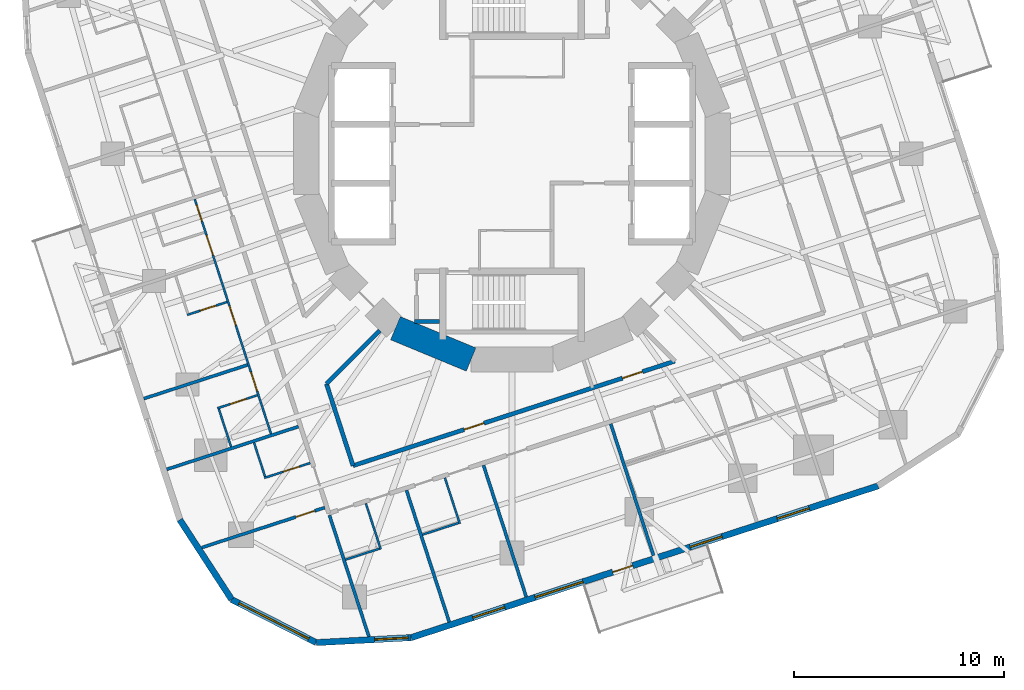
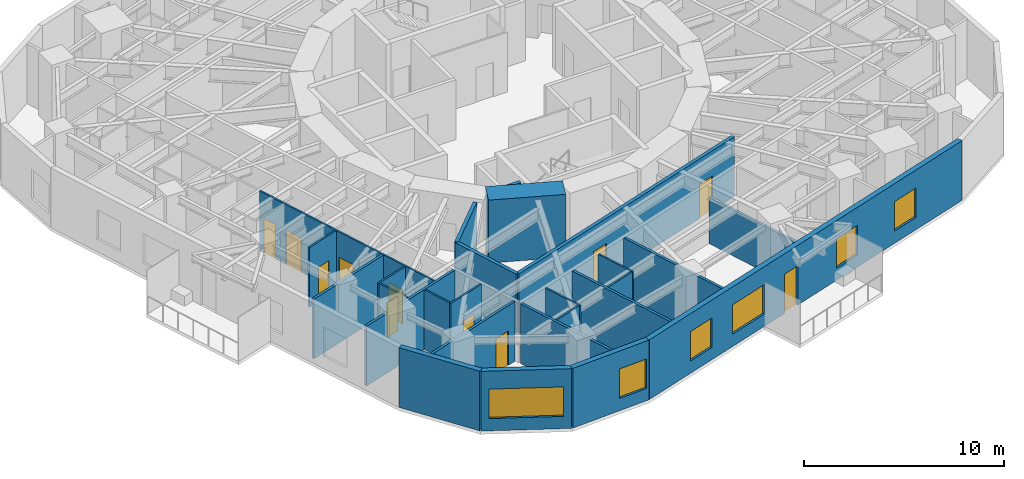
# One storey, part 4 of 13: 26 walls, 11 doors, 6 windows, 17 openings.
"""IFC4 building model written with IfcOpenShell, lengths in metres."""

import ifcopenshell
import ifcopenshell.guid

model = None  # the IFC model being written
_history = None  # IfcOwnerHistory: only IFC2X3 demands one
_inside = {}  # id of a spatial element -> (the spatial element, [elements in it])
_under = {}  # id of a project, library or spatial element -> (it, [spatial elements below it])
_declared = {}  # id of a project -> (the project, [libraries it declares])
_typed = {}  # id of a type object -> (the type object, [elements of that type])
_made_of = {}  # id of a material, layer set ... -> (it, [elements and type objects made of it])


def new_model(schema):
    """Start an empty IFC model of exactly this schema.

    Asked for "IFC4X3", IfcOpenShell would pick the latest addendum, in which some entities
    have other attributes; the version numbers below select the first issue.
    IFC2X3 requires an IfcOwnerHistory on every rooted entity: one is made here for all.
    """
    global model, _history
    if schema == "IFC4X3":
        model = ifcopenshell.file(schema_version=(4, 3, 0, 0))
    else:
        model = ifcopenshell.file(schema=schema)
    _inside.clear()
    _under.clear()
    _declared.clear()
    _typed.clear()
    _made_of.clear()
    _history = None
    if model.schema == "IFC2X3":
        org = make("IfcOrganization", Name="unknown")
        user = make(
            "IfcPersonAndOrganization",
            ThePerson=make("IfcPerson", FamilyName="unknown"),
            TheOrganization=org,
        )
        app = make(
            "IfcApplication",
            ApplicationDeveloper=org,
            Version="unknown",
            ApplicationFullName="unknown",
            ApplicationIdentifier="unknown",
        )
        _history = make(
            "IfcOwnerHistory",
            OwningUser=user,
            OwningApplication=app,
            ChangeAction="ADDED",
            CreationDate=0,
        )
    return model


def make(cls, **values):
    """One entity of the class cls with the attributes given. An attribute that is None is left unset."""
    return model.create_entity(
        cls, **{name: value for name, value in values.items() if value is not None}
    )


def rooted(cls, **values):
    """An entity with a GlobalId (a new one), such as an element, a storey or a relation."""
    return make(cls, GlobalId=ifcopenshell.guid.new(), OwnerHistory=_history, **values)


def si_unit(unit_type, name, prefix=None):
    """IfcSIUnit, for example si_unit("LENGTHUNIT", "METRE", prefix="MILLI")."""
    return make("IfcSIUnit", UnitType=unit_type, Prefix=prefix, Name=name)


def assignment(units):
    """IfcUnitAssignment: the units of a project."""
    return None if units is None else make("IfcUnitAssignment", Units=units)


def point(xyz):
    """IfcCartesianPoint."""
    return None if xyz is None else make("IfcCartesianPoint", Coordinates=xyz)


def direction(xyz):
    """IfcDirection."""
    return None if xyz is None else make("IfcDirection", DirectionRatios=xyz)


def frame(location, z_axis=None, x_axis=None):
    """IfcAxis2Placement3D, a coordinate frame: its origin and axes. An axis left out is left unset."""
    return make(
        "IfcAxis2Placement3D",
        Location=point(location),
        Axis=direction(z_axis),
        RefDirection=direction(x_axis),
    )


def frame_2d(location, x_axis=None):
    """IfcAxis2Placement2D, a coordinate frame in the plane: its origin and x axis."""
    return make(
        "IfcAxis2Placement2D", Location=point(location), RefDirection=direction(x_axis)
    )


def origin():
    """The frame at (0, 0, 0) with its axes left unset."""
    return frame((0.0, 0.0, 0.0))


def place(relative_to, where):
    """IfcLocalPlacement: puts the frame where relative to a parent placement (None: the world)."""
    return make(
        "IfcLocalPlacement", PlacementRelTo=relative_to, RelativePlacement=where
    )


def context(
    kind, dimensions, precision=None, world=None, true_north=None, identifier=None
):
    """IfcGeometricRepresentationContext, for example the 3D "Model" context."""
    return make(
        "IfcGeometricRepresentationContext",
        ContextIdentifier=identifier,
        ContextType=kind,
        CoordinateSpaceDimension=dimensions,
        Precision=precision,
        WorldCoordinateSystem=world,
        TrueNorth=true_north,
    )


def subcontext(parent, identifier, kind, view, scale=None):
    """IfcGeometricRepresentationSubContext, for example "Body" below "Model"."""
    return make(
        "IfcGeometricRepresentationSubContext",
        ContextIdentifier=identifier,
        ContextType=kind,
        ParentContext=parent,
        TargetScale=scale,
        TargetView=view,
    )


def project(units=None, contexts=None):
    """IfcProject with its units and contexts."""
    return rooted(
        "IfcProject",
        Name="project",
        RepresentationContexts=contexts,
        UnitsInContext=assignment(units),
    )


def spatial(cls, under=None, at=None, **own):
    """A site, building, storey or space (cls), placed at a placement, below another one or the project."""
    s = rooted(cls, ObjectPlacement=at, **own)
    if under is not None:
        _under.setdefault(under.id(), (under, []))[1].append(s)
    return s


def profile(cls, at=None, kind="AREA", **sizes):
    """A parametric profile (cls). Its sizes go by their IFC names, for example OverallWidth=200.0."""
    return make(cls, ProfileType=kind, Position=at, **sizes)


def rectangle(**sizes):
    """IfcRectangleProfileDef."""
    return profile("IfcRectangleProfileDef", **sizes)


def extrude(swept, where, along, depth):
    """IfcExtrudedAreaSolid: the profile swept, set in the frame where, extruded along a direction by depth."""
    return make(
        "IfcExtrudedAreaSolid",
        SweptArea=swept,
        Position=where,
        ExtrudedDirection=direction(along),
        Depth=depth,
    )


def shape(context_of_items, identifier, shape_type, items):
    """IfcShapeRepresentation: the items that make up one representation, for example the "Body"."""
    return make(
        "IfcShapeRepresentation",
        ContextOfItems=context_of_items,
        RepresentationIdentifier=identifier,
        RepresentationType=shape_type,
        Items=items,
    )


def material(Name=None, Category=None):
    """IfcMaterial."""
    return make("IfcMaterial", Name=Name, Category=Category)


def layer(
    of_material, thickness, ventilated=None, Name=None, Category=None, Priority=None
):
    """IfcMaterialLayer: one layer of a wall or slab, of a material (None: an air gap)."""
    return make(
        "IfcMaterialLayer",
        Material=of_material,
        LayerThickness=thickness,
        IsVentilated=ventilated,
        Name=Name,
        Category=Category,
        Priority=Priority,
    )


def layer_set(layers, Name=None):
    """IfcMaterialLayerSet."""
    return make("IfcMaterialLayerSet", MaterialLayers=layers, LayerSetName=Name)


def made_of(thing, what):
    """Note that an element or type object is made of a material, layer set ...; save() writes the relation."""
    if what is not None:
        _made_of.setdefault(what.id(), (what, []))[1].append(thing)
    return thing


def type_object(cls, material=None, **own):
    """A type object (cls), such as IfcWallType, which elements share."""
    return made_of(rooted(cls, **own), material)


def element(
    cls,
    number,
    at=None,
    inside=None,
    cuts=None,
    type_object=None,
    material=None,
    context=None,
    identifier="Body",
    shape_type=None,
    held_by="IfcProductDefinitionShape",
    body=None,
    shapes=None,
    **own,
):
    """One element of the class cls, such as IfcWall. Its Tag is "e" and its number.

    at: its placement. inside: the storey or other place that contains it. cuts: it is an
    opening in that element (IfcRelVoidsElement). A single representation is given by context,
    identifier, shape_type and body (its items); several are given by shapes. held_by: the class
    of the entity that holds the representations. save() writes the other relations.
    """
    e = rooted(cls, Tag="e%d" % number, ObjectPlacement=at, **own)
    if body is not None:
        shapes = [shape(context, identifier, shape_type, body)]
    if shapes is not None:
        e.Representation = make(held_by, Representations=shapes)
    if inside is not None:
        _inside.setdefault(inside.id(), (inside, []))[1].append(e)
    if cuts is not None:
        rooted(
            "IfcRelVoidsElement", RelatingBuildingElement=cuts, RelatedOpeningElement=e
        )
    if type_object is not None:
        _typed.setdefault(type_object.id(), (type_object, []))[1].append(e)
    return made_of(e, material)


def fill(opening, filler):
    """IfcRelFillsElement: the door or window that sits in an opening."""
    return rooted(
        "IfcRelFillsElement",
        RelatingOpeningElement=opening,
        RelatedBuildingElement=filler,
    )


def aggregate(whole, parts):
    """IfcRelAggregates: a whole, such as a stair, and the parts it consists of."""
    return rooted("IfcRelAggregates", RelatingObject=whole, RelatedObjects=parts)


def save(model, path):
    """Write the relations noted so far, then the file.

    IfcRelAggregates (storeys below a building ...), IfcRelContainedInSpatialStructure (elements
    in a storey), IfcRelDefinesByType, IfcRelAssociatesMaterial and IfcRelDeclares: one each for
    every whole, place, type object, material and project.
    """
    for whole, parts in _under.values():
        aggregate(whole, parts)
    for where, things in _inside.values():
        rooted(
            "IfcRelContainedInSpatialStructure",
            RelatedElements=things,
            RelatingStructure=where,
        )
    for kind, things in _typed.values():
        rooted("IfcRelDefinesByType", RelatedObjects=things, RelatingType=kind)
    for what, things in _made_of.values():
        rooted("IfcRelAssociatesMaterial", RelatedObjects=things, RelatingMaterial=what)
    for by, libraries in _declared.values():
        rooted("IfcRelDeclares", RelatingContext=by, RelatedDefinitions=libraries)
    model.write(path)


model = new_model("IFC4")

# Units and contexts
model_context = context("Model", 3, precision=1e-05, world=origin(), true_north=direction((0.0, 1.0)))
body_context = subcontext(model_context, "Body", "Model", "MODEL_VIEW")
ifc_project = project(units=[si_unit("LENGTHUNIT", "METRE"), si_unit("AREAUNIT", "SQUARE_METRE"), si_unit("VOLUMEUNIT", "CUBIC_METRE"), si_unit("PLANEANGLEUNIT", "RADIAN"), si_unit("MASSUNIT", "GRAM", prefix="KILO")], contexts=[model_context])

# Site, building, storey
site_placement = place(None, origin())
site = spatial("IfcSite", under=ifc_project, at=site_placement, CompositionType="ELEMENT")
building_placement = place(site_placement, origin())
building = spatial("IfcBuilding", under=site, at=building_placement, Name="Nakasero Lantern House", CompositionType="ELEMENT")
storey_placement = place(building_placement, frame((0.0, 0.0, 161.050048828125)))
storey = spatial("IfcBuildingStorey", under=building, at=storey_placement, Name="L39", CompositionType="ELEMENT", Elevation=161.050048828125)

# Wall, openings, doors
ifc_material_1 = material(Name="Blockwork", Category="masonry")
ifc_layer_1 = layer(ifc_material_1, 0.10009765625)
ifc_layer_set_1 = layer_set([ifc_layer_1], Name="Cluster hall wall 100")
wall_type_1 = type_object("IfcWallType", Name="Cluster hall wall 100", PredefinedType="PARTITIONING", material=ifc_layer_set_1)
wall_1_placement = place(storey_placement, frame((-15.1220703125, -2.161865234375, 0.0), z_axis=(0.0, 0.0, 1.0), x_axis=(0.309009113534, -0.9510590769, 0.0)))
wall_1 = element("IfcWall", 1, at=wall_1_placement, inside=storey, type_object=wall_type_1, Name="Cluster hall wall L39 HW2-1", PredefinedType="PARTITIONING", context=body_context, shape_type="SweptSolid", body=[
    extrude(rectangle(XDim=11.76416015625, YDim=0.10009765625, at=frame_2d((5.882080078125, 0.0))), origin(), (0.0, 0.0, 1.0), 3.64990234375),
])
opening_1_placement = place(wall_1_placement, frame((1.81396484375, 0.0, 0.0)))
opening_1 = element("IfcOpeningElement", 2, at=opening_1_placement, cuts=wall_1, Name="Opening D03", PredefinedType="OPENING", context=body_context, shape_type="SweptSolid", body=[
    extrude(rectangle(XDim=1.0, YDim=2.10009765625, at=frame_2d((0.5, 1.050048828125))), frame((0.0, 0.070068359375, 0.0), z_axis=(0.0, -1.0, 0.0), x_axis=(1.0, 0.0, 0.0)), (0.0, 0.0, 1.0), 0.14013671875),
])
opening_2_placement = place(wall_1_placement, frame((0.300048828125, 0.0, 0.0)))
opening_2 = element("IfcOpeningElement", 3, at=opening_2_placement, cuts=wall_1, Name="Opening D02", PredefinedType="OPENING", context=body_context, shape_type="SweptSolid", body=[
    extrude(rectangle(XDim=0.800048828125, YDim=2.10009765625, at=frame_2d((0.39990234375, 1.050048828125))), frame((0.0, 0.070068359375, 0.0), z_axis=(0.0, -1.0, 0.0), x_axis=(1.0, 0.0, 0.0)), (0.0, 0.0, 1.0), 0.14013671875),
])
opening_3_placement = place(wall_1_placement, frame((5.364013671875, 0.0, 0.0)))
opening_3 = element("IfcOpeningElement", 4, at=opening_3_placement, cuts=wall_1, Name="Opening D01", PredefinedType="OPENING", context=body_context, shape_type="SweptSolid", body=[
    extrude(rectangle(XDim=0.949951171875, YDim=2.10009765625, at=frame_2d((0.47509765625, 1.050048828125))), frame((0.0, 0.070068359375, 0.0), z_axis=(0.0, -1.0, 0.0), x_axis=(1.0, 0.0, 0.0)), (0.0, 0.0, 1.0), 0.14013671875),
])
opening_4_placement = place(wall_1_placement, frame((8.670166015625, 0.0, 0.0)))
opening_4 = element("IfcOpeningElement", 5, at=opening_4_placement, cuts=wall_1, Name="Opening D01", PredefinedType="OPENING", context=body_context, shape_type="SweptSolid", body=[
    extrude(rectangle(XDim=0.949951171875, YDim=2.10009765625, at=frame_2d((0.47509765625, 1.050048828125))), frame((0.0, 0.070068359375, 0.0), z_axis=(0.0, -1.0, 0.0), x_axis=(1.0, 0.0, 0.0)), (0.0, 0.0, 1.0), 0.14013671875),
])
ifc_material_2 = material(Name="Timber C24", Category="wood")
door_type_1 = type_object("IfcDoorType", Name="Bedroom door FD30S 950", OperationType="SINGLE_SWING_LEFT", PredefinedType="DOOR", material=ifc_material_2)
door_1_placement = place(opening_3_placement, origin())
door_1 = element("IfcDoor", 6, at=door_1_placement, inside=storey, type_object=door_type_1, Name="Door L39 D2-04", OperationType="SINGLE_SWING_LEFT", OverallHeight=2.10009765625, OverallWidth=0.949951171875, PredefinedType="DOOR", context=body_context, shape_type="SweptSolid", body=[
    extrude(rectangle(XDim=0.949951171875, YDim=2.10009765625, at=frame_2d((0.47509765625, 1.050048828125))), frame((0.0, 0.02490234375, 0.0), z_axis=(0.0, -1.0, 0.0), x_axis=(1.0, 0.0, 0.0)), (0.0, 0.0, 1.0), 0.050048828125),
])
fill(opening_3, door_1)
door_2_placement = place(opening_4_placement, origin())
door_2 = element("IfcDoor", 7, at=door_2_placement, inside=storey, type_object=door_type_1, Name="Door L39 D2-05", OperationType="SINGLE_SWING_RIGHT", OverallHeight=2.10009765625, OverallWidth=0.949951171875, PredefinedType="DOOR", context=body_context, shape_type="SweptSolid", body=[
    extrude(rectangle(XDim=0.949951171875, YDim=2.10009765625, at=frame_2d((0.47509765625, 1.050048828125))), frame((0.0, 0.02490234375, 0.0), z_axis=(0.0, -1.0, 0.0), x_axis=(1.0, 0.0, 0.0)), (0.0, 0.0, 1.0), 0.050048828125),
])
fill(opening_4, door_2)
ifc_material_3 = material(Name="Timber C24", Category="wood")
door_type_2 = type_object("IfcDoorType", Name="En-suite door 800", OperationType="SINGLE_SWING_RIGHT", PredefinedType="DOOR", material=ifc_material_3)
door_3_placement = place(opening_2_placement, origin())
door_3 = element("IfcDoor", 8, at=door_3_placement, inside=storey, type_object=door_type_2, Name="Door L39 DSH2-1", OperationType="SINGLE_SWING_LEFT", OverallHeight=2.10009765625, OverallWidth=0.800048828125, PredefinedType="DOOR", context=body_context, shape_type="SweptSolid", body=[
    extrude(rectangle(XDim=0.800048828125, YDim=2.10009765625, at=frame_2d((0.39990234375, 1.050048828125))), frame((0.0, 0.02490234375, 0.0), z_axis=(0.0, -1.0, 0.0), x_axis=(1.0, 0.0, 0.0)), (0.0, 0.0, 1.0), 0.050048828125),
])
fill(opening_2, door_3)
ifc_material_4 = material(Name="Timber C24", Category="wood")
door_type_3 = type_object("IfcDoorType", Name="Lounge door FD30S 1000", OperationType="SINGLE_SWING_LEFT", PredefinedType="DOOR", material=ifc_material_4)
door_4_placement = place(opening_1_placement, origin())
door_4 = element("IfcDoor", 9, at=door_4_placement, inside=storey, type_object=door_type_3, Name="Door L39 DH2-1", OperationType="SINGLE_SWING_LEFT", OverallHeight=2.10009765625, OverallWidth=1.0, PredefinedType="DOOR", context=body_context, shape_type="SweptSolid", body=[
    extrude(rectangle(XDim=1.0, YDim=2.10009765625, at=frame_2d((0.5, 1.050048828125))), frame((0.0, 0.02490234375, 0.0), z_axis=(0.0, -1.0, 0.0), x_axis=(1.0, 0.0, 0.0)), (0.0, 0.0, 1.0), 0.050048828125),
])
fill(opening_1, door_4)

# Walls
ifc_material_5 = material(Name="Concrete C50/60", Category="concrete")
ifc_layer_2 = layer(ifc_material_5, 1.199951171875)
ifc_layer_set_2 = layer_set([ifc_layer_2], Name="Core wall 1200")
wall_type_2 = type_object("IfcWallType", Name="Core wall 1200", PredefinedType="SHEAR", material=ifc_layer_set_2)
wall_2_placement = place(storey_placement, frame((-5.5556640625, -8.314697265625, 0.0), z_axis=(0.0, 0.0, 1.0), x_axis=(0.923876507187, -0.382690736062, 0.0)))
element("IfcWall", 10, at=wall_2_placement, inside=storey, type_object=wall_type_2, Name="Core wall L39 facet 11", PredefinedType="SHEAR", context=body_context, shape_type="SweptSolid", body=[
    extrude(rectangle(XDim=3.90185546875, YDim=1.199951171875, at=frame_2d((1.950927734375, 0.0))), origin(), (0.0, 0.0, 1.0), 3.849853515625),
])
ifc_material_6 = material(Name="Blockwork", Category="masonry")
ifc_layer_3 = layer(ifc_material_6, 0.199951171875)
ifc_layer_set_3 = layer_set([ifc_layer_3], Name="Corridor wall 200")
wall_type_3 = type_object("IfcWallType", Name="Corridor wall 200", PredefinedType="PARTITIONING", material=ifc_layer_set_3)
wall_3_placement = place(storey_placement, frame((-8.84423828125, -10.965576171875, 0.0), z_axis=(0.0, 0.0, 1.0), x_axis=(0.308973082722, -0.951070782935, 0.0)))
element("IfcWall", 11, at=wall_3_placement, inside=storey, type_object=wall_type_3, Name="Corridor wall L39 IW2-1", PredefinedType="PARTITIONING", context=body_context, shape_type="SweptSolid", body=[
    extrude(rectangle(XDim=4.104248046875, YDim=0.199951171875, at=frame_2d((2.05224609375, 0.0))), origin(), (0.0, 0.0, 1.0), 3.64990234375),
])

# Wall, openings, doors
wall_4_placement = place(storey_placement, frame((-7.576171875, -14.868896484375, 0.0), z_axis=(0.0, 0.0, 1.0), x_axis=(0.951056647235, 0.309016591385, 0.0)))
wall_4 = element("IfcWall", 12, at=wall_4_placement, inside=storey, type_object=wall_type_3, Name="Corridor wall L39 IW3-0", PredefinedType="PARTITIONING", context=body_context, shape_type="SweptSolid", body=[
    extrude(rectangle(XDim=16.12890625, YDim=0.199951171875, at=frame_2d((8.064453125, 0.0))), origin(), (0.0, 0.0, 1.0), 3.64990234375),
])
opening_5_placement = place(wall_4_placement, frame((5.5625, 0.0, 0.0)))
opening_5 = element("IfcOpeningElement", 13, at=opening_5_placement, cuts=wall_4, Name="Opening D07", PredefinedType="OPENING", context=body_context, shape_type="SweptSolid", body=[
    extrude(rectangle(XDim=1.0, YDim=2.10009765625, at=frame_2d((0.5, 1.050048828125))), frame((0.0, 0.119873046875, 0.0), z_axis=(0.0, -1.0, 0.0), x_axis=(1.0, 0.0, 0.0)), (0.0, 0.0, 1.0), 0.239990234375),
])
opening_6_placement = place(wall_4_placement, frame((13.501953125, 0.0, 0.0)))
opening_6 = element("IfcOpeningElement", 14, at=opening_6_placement, cuts=wall_4, Name="Opening D07", PredefinedType="OPENING", context=body_context, shape_type="SweptSolid", body=[
    extrude(rectangle(XDim=1.0, YDim=2.10009765625, at=frame_2d((0.5, 1.050048828125))), frame((0.0, 0.119873046875, 0.0), z_axis=(0.0, -1.0, 0.0), x_axis=(1.0, 0.0, 0.0)), (0.0, 0.0, 1.0), 0.239990234375),
])
ifc_material_7 = material(Name="Timber C24", Category="wood")
door_type_4 = type_object("IfcDoorType", Name="Room door FD30S 1000", OperationType="SINGLE_SWING_LEFT", PredefinedType="DOOR", material=ifc_material_7)
door_5_placement = place(opening_5_placement, origin())
door_5 = element("IfcDoor", 15, at=door_5_placement, inside=storey, type_object=door_type_4, Name="Door L39 DI2", OperationType="SINGLE_SWING_LEFT", OverallHeight=2.10009765625, OverallWidth=1.0, PredefinedType="DOOR", context=body_context, shape_type="SweptSolid", body=[
    extrude(rectangle(XDim=1.0, YDim=2.10009765625, at=frame_2d((0.5, 1.050048828125))), frame((0.0, 0.02490234375, 0.0), z_axis=(0.0, -1.0, 0.0), x_axis=(1.0, 0.0, 0.0)), (0.0, 0.0, 1.0), 0.050048828125),
])
fill(opening_5, door_5)
door_6_placement = place(opening_6_placement, origin())
door_6 = element("IfcDoor", 16, at=door_6_placement, inside=storey, type_object=door_type_4, Name="Door L39 DI3", OperationType="SINGLE_SWING_RIGHT", OverallHeight=2.10009765625, OverallWidth=1.0, PredefinedType="DOOR", context=body_context, shape_type="SweptSolid", body=[
    extrude(rectangle(XDim=1.0, YDim=2.10009765625, at=frame_2d((0.5, 1.050048828125))), frame((0.0, 0.02490234375, 0.0), z_axis=(0.0, -1.0, 0.0), x_axis=(1.0, 0.0, 0.0)), (0.0, 0.0, 1.0), 0.050048828125),
])
fill(opening_6, door_6)

# Wall
wall_5_placement = place(storey_placement, frame((-6.298828125, -8.420166015625, 0.0), z_axis=(0.0, 0.0, 1.0), x_axis=(-0.707106781187, -0.707106781187, 0.0)))
element("IfcWall", 17, at=wall_5_placement, inside=storey, type_object=wall_type_3, Name="Corridor wall L39 PS10a", PredefinedType="PARTITIONING", context=body_context, shape_type="SweptSolid", body=[
    extrude(rectangle(XDim=3.599853515625, YDim=0.199951171875, at=frame_2d((1.7998046875, 0.0))), origin(), (0.0, 0.0, 1.0), 3.64990234375),
])

# Wall, opening, door
ifc_material_8 = material(Name="Blockwork", Category="masonry")
ifc_layer_4 = layer(ifc_material_8, 0.10009765625)
ifc_layer_set_4 = layer_set([ifc_layer_4], Name="En-suite wall 100")
wall_type_4 = type_object("IfcWallType", Name="En-suite wall 100", PredefinedType="PARTITIONING", material=ifc_layer_set_4)
wall_6_placement = place(storey_placement, frame((-13.58154296875, -7.064697265625, 0.0), z_axis=(0.0, 0.0, 1.0), x_axis=(-0.951036759863, -0.309077791808, 0.0)))
wall_6 = element("IfcWall", 18, at=wall_6_placement, inside=storey, type_object=wall_type_4, Name="En-suite wall L39 ES2-04", PredefinedType="PARTITIONING", context=body_context, shape_type="SweptSolid", body=[
    extrude(rectangle(XDim=2.0, YDim=0.10009765625, at=frame_2d((1.0, 0.0))), origin(), (0.0, 0.0, 1.0), 3.64990234375),
])
opening_7_placement = place(wall_6_placement, frame((0.550048828125, 0.0, 0.0)))
opening_7 = element("IfcOpeningElement", 19, at=opening_7_placement, cuts=wall_6, Name="Opening D02", PredefinedType="OPENING", context=body_context, shape_type="SweptSolid", body=[
    extrude(rectangle(XDim=0.800048828125, YDim=2.10009765625, at=frame_2d((0.39990234375, 1.050048828125))), frame((0.0, 0.070068359375, 0.0), z_axis=(0.0, -1.0, 0.0), x_axis=(1.0, 0.0, 0.0)), (0.0, 0.0, 1.0), 0.14013671875),
])
door_7_placement = place(opening_7_placement, origin())
door_7 = element("IfcDoor", 20, at=door_7_placement, inside=storey, type_object=door_type_2, Name="Door L39 DE2-04", OperationType="SINGLE_SWING_LEFT", OverallHeight=2.10009765625, OverallWidth=0.800048828125, PredefinedType="DOOR", context=body_context, shape_type="SweptSolid", body=[
    extrude(rectangle(XDim=0.800048828125, YDim=2.10009765625, at=frame_2d((0.39990234375, 1.050048828125))), frame((0.0, 0.02490234375, 0.0), z_axis=(0.0, -1.0, 0.0), x_axis=(1.0, 0.0, 0.0)), (0.0, 0.0, 1.0), 0.050048828125),
])
fill(opening_7, door_7)

wall_7_placement = place(storey_placement, frame((-12.13671875, -11.51123046875, 0.0), z_axis=(0.0, 0.0, 1.0), x_axis=(-0.951048418938, -0.309041914367, 0.0)))
wall_7 = element("IfcWall", 21, at=wall_7_placement, inside=storey, type_object=wall_type_4, Name="En-suite wall L39 ES2-05", PredefinedType="PARTITIONING", context=body_context, shape_type="SweptSolid", body=[
    extrude(rectangle(XDim=2.000244140625, YDim=0.10009765625, at=frame_2d((1.0, 0.0))), origin(), (0.0, 0.0, 1.0), 3.64990234375),
])
opening_8_placement = place(wall_7_placement, frame((0.550048828125, 0.0, 0.0)))
opening_8 = element("IfcOpeningElement", 22, at=opening_8_placement, cuts=wall_7, Name="Opening D02", PredefinedType="OPENING", context=body_context, shape_type="SweptSolid", body=[
    extrude(rectangle(XDim=0.800048828125, YDim=2.10009765625, at=frame_2d((0.39990234375, 1.050048828125))), frame((0.0, 0.070068359375, 0.0), z_axis=(0.0, -1.0, 0.0), x_axis=(1.0, 0.0, 0.0)), (0.0, 0.0, 1.0), 0.14013671875),
])
door_8_placement = place(opening_8_placement, origin())
door_8 = element("IfcDoor", 23, at=door_8_placement, inside=storey, type_object=door_type_2, Name="Door L39 DE2-05", OperationType="SINGLE_SWING_LEFT", OverallHeight=2.10009765625, OverallWidth=0.800048828125, PredefinedType="DOOR", context=body_context, shape_type="SweptSolid", body=[
    extrude(rectangle(XDim=0.800048828125, YDim=2.10009765625, at=frame_2d((0.39990234375, 1.050048828125))), frame((0.0, 0.02490234375, 0.0), z_axis=(0.0, -1.0, 0.0), x_axis=(1.0, 0.0, 0.0)), (0.0, 0.0, 1.0), 0.050048828125),
])
fill(opening_8, door_8)

# Wall
wall_8_placement = place(storey_placement, frame((-13.975830078125, -12.161376953125, 0.0), z_axis=(0.0, 0.0, 1.0), x_axis=(0.308894308917, -0.951096370469, 0.0)))
element("IfcWall", 24, at=wall_8_placement, inside=storey, type_object=wall_type_4, Name="En-suite wall L39 EE2-05", PredefinedType="PARTITIONING", context=body_context, shape_type="SweptSolid", body=[
    extrude(rectangle(XDim=1.900146484375, YDim=0.10009765625, at=frame_2d((0.9501953125, 0.0))), origin(), (0.0, 0.0, 1.0), 3.64990234375),
])

# Wall, opening, door
wall_9_placement = place(storey_placement, frame((-9.61572265625, -14.740234375, 0.0), z_axis=(0.0, 0.0, 1.0), x_axis=(-0.951055129775, -0.309021261611, 0.0)))
wall_9 = element("IfcWall", 25, at=wall_9_placement, inside=storey, type_object=wall_type_4, Name="En-suite wall L39 ES2-06", PredefinedType="PARTITIONING", context=body_context, shape_type="SweptSolid", body=[
    extrude(rectangle(XDim=2.2998046875, YDim=0.10009765625, at=frame_2d((1.14990234375, 0.0))), origin(), (0.0, 0.0, 1.0), 3.64990234375),
])
opening_9_placement = place(wall_9_placement, frame((0.550048828125, 0.0, 0.0)))
opening_9 = element("IfcOpeningElement", 26, at=opening_9_placement, cuts=wall_9, Name="Opening D02", PredefinedType="OPENING", context=body_context, shape_type="SweptSolid", body=[
    extrude(rectangle(XDim=0.800048828125, YDim=2.10009765625, at=frame_2d((0.39990234375, 1.050048828125))), frame((0.0, 0.070068359375, 0.0), z_axis=(0.0, -1.0, 0.0), x_axis=(1.0, 0.0, 0.0)), (0.0, 0.0, 1.0), 0.14013671875),
])
door_9_placement = place(opening_9_placement, origin())
door_9 = element("IfcDoor", 27, at=door_9_placement, inside=storey, type_object=door_type_2, Name="Door L39 DE2-06", OperationType="SINGLE_SWING_LEFT", OverallHeight=2.10009765625, OverallWidth=0.800048828125, PredefinedType="DOOR", context=body_context, shape_type="SweptSolid", body=[
    extrude(rectangle(XDim=0.800048828125, YDim=2.10009765625, at=frame_2d((0.39990234375, 1.050048828125))), frame((0.0, 0.02490234375, 0.0), z_axis=(0.0, -1.0, 0.0), x_axis=(1.0, 0.0, 0.0)), (0.0, 0.0, 1.0), 0.050048828125),
])
fill(opening_9, door_9)

# Walls
wall_10_placement = place(storey_placement, frame((-12.29638671875, -13.771240234375, 0.0), z_axis=(0.0, 0.0, 1.0), x_axis=(0.309066587596, -0.951040401051, 0.0)))
element("IfcWall", 28, at=wall_10_placement, inside=storey, type_object=wall_type_4, Name="En-suite wall L39 EE2-06", PredefinedType="PARTITIONING", context=body_context, shape_type="SweptSolid", body=[
    extrude(rectangle(XDim=1.699951171875, YDim=0.10009765625, at=frame_2d((0.85009765625, 0.0))), origin(), (0.0, 0.0, 1.0), 3.64990234375),
])
wall_11_placement = place(storey_placement, frame((-6.965087890625, -16.668212890625, 0.0), z_axis=(0.0, 0.0, 1.0), x_axis=(0.309021261611, -0.951055129775, 0.0)))
element("IfcWall", 29, at=wall_11_placement, inside=storey, type_object=wall_type_4, Name="En-suite wall L39 ES3-00", PredefinedType="PARTITIONING", context=body_context, shape_type="SweptSolid", body=[
    extrude(rectangle(XDim=2.2998046875, YDim=0.10009765625, at=frame_2d((1.14990234375, 0.0))), origin(), (0.0, 0.0, 1.0), 3.64990234375),
])
wall_12_placement = place(storey_placement, frame((-7.934326171875, -19.348876953125, 0.0), z_axis=(0.0, 0.0, 1.0), x_axis=(0.951054116971, 0.309024378638, 0.0)))
element("IfcWall", 30, at=wall_12_placement, inside=storey, type_object=wall_type_4, Name="En-suite wall L39 EE3-00", PredefinedType="PARTITIONING", context=body_context, shape_type="SweptSolid", body=[
    extrude(rectangle(XDim=1.7001953125, YDim=0.10009765625, at=frame_2d((0.85009765625, 0.0))), origin(), (0.0, 0.0, 1.0), 3.64990234375),
])
wall_13_placement = place(storey_placement, frame((-3.199462890625, -15.444580078125, 0.0), z_axis=(0.0, 0.0, 1.0), x_axis=(0.308990065628, -0.951065265554, 0.0)))
element("IfcWall", 31, at=wall_13_placement, inside=storey, type_object=wall_type_4, Name="En-suite wall L39 ES3-01", PredefinedType="PARTITIONING", context=body_context, shape_type="SweptSolid", body=[
    extrude(rectangle(XDim=2.300048828125, YDim=0.10009765625, at=frame_2d((1.14990234375, 0.0))), origin(), (0.0, 0.0, 1.0), 3.64990234375),
])
wall_14_placement = place(storey_placement, frame((-4.263671875, -18.15625, 0.0), z_axis=(0.0, 0.0, 1.0), x_axis=(0.951030081821, 0.309098339485, 0.0)))
element("IfcWall", 32, at=wall_14_placement, inside=storey, type_object=wall_type_4, Name="En-suite wall L39 EE3-01", PredefinedType="PARTITIONING", context=body_context, shape_type="SweptSolid", body=[
    extrude(rectangle(XDim=1.800048828125, YDim=0.10009765625, at=frame_2d((0.89990234375, 0.0))), origin(), (0.0, 0.0, 1.0), 3.64990234375),
])
ifc_material_9 = material(Name="Aluminium rainscreen on blockwork", Category="masonry")
ifc_layer_5 = layer(ifc_material_9, 0.300048828125)
ifc_layer_set_5 = layer_set([ifc_layer_5], Name="Facade wall 300")
wall_type_5 = type_object("IfcWallType", Name="Facade wall 300", PredefinedType="SOLIDWALL", material=ifc_layer_set_5)
wall_15_placement = place(storey_placement, frame((-15.83349609375, -17.44677734375, 0.0), z_axis=(0.0, 0.0, 1.0), x_axis=(0.544634002266, -0.838673836229, 0.0)))
element("IfcWall", 33, at=wall_15_placement, inside=storey, type_object=wall_type_5, Name="Facade wall L39 FW2C1", PredefinedType="SOLIDWALL", context=body_context, shape_type="SweptSolid", body=[
    extrude(rectangle(XDim=4.529296875, YDim=0.300048828125, at=frame_2d((2.2646484375, 0.0))), origin(), (0.0, 0.0, 1.0), 3.64990234375),
])

# Wall, opening, window
wall_16_placement = place(storey_placement, frame((-13.36669921875, -21.245361328125, 0.0), z_axis=(0.0, 0.0, 1.0), x_axis=(0.890994655705, -0.454013792196, 0.0)))
wall_16 = element("IfcWall", 34, at=wall_16_placement, inside=storey, type_object=wall_type_5, Name="Facade wall L39 FW2C2", PredefinedType="SOLIDWALL", context=body_context, shape_type="SweptSolid", body=[
    extrude(rectangle(XDim=4.529296875, YDim=0.300048828125, at=frame_2d((2.2646484375, 0.0))), origin(), (0.0, 0.0, 1.0), 3.64990234375),
])
opening_10_placement = place(wall_16_placement, frame((0.39990234375, 0.0, 0.75)))
opening_10 = element("IfcOpeningElement", 35, at=opening_10_placement, cuts=wall_16, Name="Opening W237A", PredefinedType="OPENING", context=body_context, shape_type="SweptSolid", body=[
    extrude(rectangle(XDim=3.72900390625, YDim=1.800048828125, at=frame_2d((1.864501953125, 0.89990234375))), frame((0.0, 0.169921875, 0.0), z_axis=(0.0, -1.0, 0.0), x_axis=(1.0, 0.0, 0.0)), (0.0, 0.0, 1.0), 0.340087890625),
])
ifc_material_10 = material(Name="Aluminium 6063-T6 and glass", Category="aluminium")
window_type_1 = type_object("IfcWindowType", Name="Corner window 3729x1800", PartitioningType="SINGLE_PANEL", PredefinedType="WINDOW", material=ifc_material_10)
window_1_placement = place(opening_10_placement, origin())
window_1 = element("IfcWindow", 36, at=window_1_placement, inside=storey, type_object=window_type_1, Name="Window L39 WC2", OverallHeight=1.800048828125, OverallWidth=3.72900390625, PartitioningType="SINGLE_PANEL", PredefinedType="WINDOW", context=body_context, shape_type="SweptSolid", body=[
    extrude(rectangle(XDim=3.72900390625, YDim=1.800048828125, at=frame_2d((1.864501953125, 0.89990234375))), frame((0.0, 0.030029296875, 0.0), z_axis=(0.0, -1.0, 0.0), x_axis=(1.0, 0.0, 0.0)), (0.0, 0.0, 1.0), 0.06005859375),
])
fill(opening_10, window_1)

wall_17_placement = place(storey_placement, frame((-9.3310546875, -23.3017578125, 0.0), z_axis=(0.0, 0.0, 1.0), x_axis=(0.998629419044, 0.052338164079, 0.0)))
wall_17 = element("IfcWall", 37, at=wall_17_placement, inside=storey, type_object=wall_type_5, Name="Facade wall L39 FW2C3", PredefinedType="SOLIDWALL", context=body_context, shape_type="SweptSolid", body=[
    extrude(rectangle(XDim=4.529296875, YDim=0.300048828125, at=frame_2d((2.2646484375, 0.0))), origin(), (0.0, 0.0, 1.0), 3.64990234375),
])
opening_11_placement = place(wall_17_placement, frame((2.784912109375, 0.0, 0.75)))
opening_11 = element("IfcOpeningElement", 38, at=opening_11_placement, cuts=wall_17, Name="Opening W01", PredefinedType="OPENING", context=body_context, shape_type="SweptSolid", body=[
    extrude(rectangle(XDim=1.60009765625, YDim=1.800048828125, at=frame_2d((0.800048828125, 0.89990234375))), frame((0.0, 0.169921875, 0.0), z_axis=(0.0, -1.0, 0.0), x_axis=(1.0, 0.0, 0.0)), (0.0, 0.0, 1.0), 0.340087890625),
])
ifc_material_11 = material(Name="Aluminium 6063-T6 and glass", Category="aluminium")
window_type_2 = type_object("IfcWindowType", Name="Bedroom window 1600x1800", PartitioningType="SINGLE_PANEL", PredefinedType="WINDOW", material=ifc_material_11)
window_2_placement = place(opening_11_placement, origin())
window_2 = element("IfcWindow", 39, at=window_2_placement, inside=storey, type_object=window_type_2, Name="Window L39 WN3-00", OverallHeight=1.800048828125, OverallWidth=1.60009765625, PartitioningType="SINGLE_PANEL", PredefinedType="WINDOW", context=body_context, shape_type="SweptSolid", body=[
    extrude(rectangle(XDim=1.60009765625, YDim=1.800048828125, at=frame_2d((0.800048828125, 0.89990234375))), frame((0.0, 0.030029296875, 0.0), z_axis=(0.0, -1.0, 0.0), x_axis=(1.0, 0.0, 0.0)), (0.0, 0.0, 1.0), 0.06005859375),
])
fill(opening_11, window_2)

# Wall, openings, door, windows
wall_18_placement = place(storey_placement, frame((-4.807861328125, -23.064697265625, 0.0), z_axis=(0.0, 0.0, 1.0), x_axis=(0.951053618334, 0.30902591324, 0.0)))
wall_18 = element("IfcWall", 40, at=wall_18_placement, inside=storey, type_object=wall_type_5, Name="Facade wall L39 FW3S", PredefinedType="SOLIDWALL", context=body_context, shape_type="SweptSolid", body=[
    extrude(rectangle(XDim=23.39990234375, YDim=0.300048828125, at=frame_2d((11.699951171875, 0.0))), origin(), (0.0, 0.0, 1.0), 3.64990234375),
])
opening_12_placement = place(wall_18_placement, frame((3.089111328125, 0.0, 0.75)))
opening_12 = element("IfcOpeningElement", 41, at=opening_12_placement, cuts=wall_18, Name="Opening W01", PredefinedType="OPENING", context=body_context, shape_type="SweptSolid", body=[
    extrude(rectangle(XDim=1.60009765625, YDim=1.800048828125, at=frame_2d((0.800048828125, 0.89990234375))), frame((0.0, 0.169921875, 0.0), z_axis=(0.0, -1.0, 0.0), x_axis=(1.0, 0.0, 0.0)), (0.0, 0.0, 1.0), 0.340087890625),
])
opening_13_placement = place(wall_18_placement, frame((13.987548828125, 0.0, 0.75)))
opening_13 = element("IfcOpeningElement", 42, at=opening_13_placement, cuts=wall_18, Name="Opening W01", PredefinedType="OPENING", context=body_context, shape_type="SweptSolid", body=[
    extrude(rectangle(XDim=1.60009765625, YDim=1.800048828125, at=frame_2d((0.800048828125, 0.89990234375))), frame((0.0, 0.169921875, 0.0), z_axis=(0.0, -1.0, 0.0), x_axis=(1.0, 0.0, 0.0)), (0.0, 0.0, 1.0), 0.340087890625),
])
opening_14_placement = place(wall_18_placement, frame((18.350341796875, 0.0, 0.75)))
opening_14 = element("IfcOpeningElement", 43, at=opening_14_placement, cuts=wall_18, Name="Opening W01", PredefinedType="OPENING", context=body_context, shape_type="SweptSolid", body=[
    extrude(rectangle(XDim=1.60009765625, YDim=1.800048828125, at=frame_2d((0.800048828125, 0.89990234375))), frame((0.0, 0.169921875, 0.0), z_axis=(0.0, -1.0, 0.0), x_axis=(1.0, 0.0, 0.0)), (0.0, 0.0, 1.0), 0.340087890625),
])
opening_15_placement = place(wall_18_placement, frame((6.21337890625, 0.0, 0.75)))
opening_15 = element("IfcOpeningElement", 44, at=opening_15_placement, cuts=wall_18, Name="Opening W03", PredefinedType="OPENING", context=body_context, shape_type="SweptSolid", body=[
    extrude(rectangle(XDim=2.39990234375, YDim=1.800048828125, at=frame_2d((1.199951171875, 0.89990234375))), frame((0.0, 0.169921875, 0.0), z_axis=(0.0, -1.0, 0.0), x_axis=(1.0, 0.0, 0.0)), (0.0, 0.0, 1.0), 0.340087890625),
])
opening_16_placement = place(wall_18_placement, frame((10.1025390625, 0.0, 0.0)))
opening_16 = element("IfcOpeningElement", 45, at=opening_16_placement, cuts=wall_18, Name="Opening D04", PredefinedType="OPENING", context=body_context, shape_type="SweptSolid", body=[
    extrude(rectangle(XDim=1.0, YDim=2.39990234375, at=frame_2d((0.5, 1.199951171875))), frame((0.0, 0.169921875, 0.0), z_axis=(0.0, -1.0, 0.0), x_axis=(1.0, 0.0, 0.0)), (0.0, 0.0, 1.0), 0.340087890625),
])
ifc_material_12 = material(Name="Aluminium 6063-T6 and glass", Category="aluminium")
door_type_5 = type_object("IfcDoorType", Name="Balcony door 1000x2400", OperationType="SINGLE_SWING_RIGHT", PredefinedType="DOOR", material=ifc_material_12)
door_10_placement = place(opening_16_placement, origin())
door_10 = element("IfcDoor", 46, at=door_10_placement, inside=storey, type_object=door_type_5, Name="Balcony door L39 DB3", OperationType="SINGLE_SWING_RIGHT", OverallHeight=2.39990234375, OverallWidth=1.0, PredefinedType="DOOR", context=body_context, shape_type="SweptSolid", body=[
    extrude(rectangle(XDim=1.0, YDim=2.39990234375, at=frame_2d((0.5, 1.199951171875))), frame((0.0, 0.02490234375, 0.0), z_axis=(0.0, -1.0, 0.0), x_axis=(1.0, 0.0, 0.0)), (0.0, 0.0, 1.0), 0.050048828125),
])
fill(opening_16, door_10)
window_3_placement = place(opening_12_placement, origin())
window_3 = element("IfcWindow", 47, at=window_3_placement, inside=storey, type_object=window_type_2, Name="Window L39 WN3-01", OverallHeight=1.800048828125, OverallWidth=1.60009765625, PartitioningType="SINGLE_PANEL", PredefinedType="WINDOW", context=body_context, shape_type="SweptSolid", body=[
    extrude(rectangle(XDim=1.60009765625, YDim=1.800048828125, at=frame_2d((0.800048828125, 0.89990234375))), frame((0.0, 0.030029296875, 0.0), z_axis=(0.0, -1.0, 0.0), x_axis=(1.0, 0.0, 0.0)), (0.0, 0.0, 1.0), 0.06005859375),
])
fill(opening_12, window_3)
window_4_placement = place(opening_13_placement, origin())
window_4 = element("IfcWindow", 48, at=window_4_placement, inside=storey, type_object=window_type_2, Name="Window L39 WN3-04", OverallHeight=1.800048828125, OverallWidth=1.60009765625, PartitioningType="SINGLE_PANEL", PredefinedType="WINDOW", context=body_context, shape_type="SweptSolid", body=[
    extrude(rectangle(XDim=1.60009765625, YDim=1.800048828125, at=frame_2d((0.800048828125, 0.89990234375))), frame((0.0, 0.030029296875, 0.0), z_axis=(0.0, -1.0, 0.0), x_axis=(1.0, 0.0, 0.0)), (0.0, 0.0, 1.0), 0.06005859375),
])
fill(opening_13, window_4)
window_5_placement = place(opening_14_placement, origin())
window_5 = element("IfcWindow", 49, at=window_5_placement, inside=storey, type_object=window_type_2, Name="Window L39 WN3-05", OverallHeight=1.800048828125, OverallWidth=1.60009765625, PartitioningType="SINGLE_PANEL", PredefinedType="WINDOW", context=body_context, shape_type="SweptSolid", body=[
    extrude(rectangle(XDim=1.60009765625, YDim=1.800048828125, at=frame_2d((0.800048828125, 0.89990234375))), frame((0.0, 0.030029296875, 0.0), z_axis=(0.0, -1.0, 0.0), x_axis=(1.0, 0.0, 0.0)), (0.0, 0.0, 1.0), 0.06005859375),
])
fill(opening_14, window_5)
ifc_material_13 = material(Name="Aluminium 6063-T6 and glass", Category="aluminium")
window_type_3 = type_object("IfcWindowType", Name="Lounge window 2400x1800", PartitioningType="SINGLE_PANEL", PredefinedType="WINDOW", material=ifc_material_13)
window_6_placement = place(opening_15_placement, origin())
window_6 = element("IfcWindow", 50, at=window_6_placement, inside=storey, type_object=window_type_3, Name="Window L39 WK3", OverallHeight=1.800048828125, OverallWidth=2.39990234375, PartitioningType="SINGLE_PANEL", PredefinedType="WINDOW", context=body_context, shape_type="SweptSolid", body=[
    extrude(rectangle(XDim=2.39990234375, YDim=1.800048828125, at=frame_2d((1.199951171875, 0.89990234375))), frame((0.0, 0.030029296875, 0.0), z_axis=(0.0, -1.0, 0.0), x_axis=(1.0, 0.0, 0.0)), (0.0, 0.0, 1.0), 0.06005859375),
])
fill(opening_15, window_6)

# Walls
ifc_material_14 = material(Name="Blockwork", Category="masonry")
ifc_layer_6 = layer(ifc_material_14, 0.199951171875)
ifc_layer_set_6 = layer_set([ifc_layer_6], Name="Fire lobby wall 200")
wall_type_6 = type_object("IfcWallType", Name="Fire lobby wall 200", PredefinedType="PARTITIONING", material=ifc_layer_set_6)
wall_19_placement = place(storey_placement, frame((-3.449951171875, -8.0, 0.0), z_axis=(0.0, 0.0, 1.0), x_axis=(-1.0, 0.0, 0.0)))
element("IfcWall", 51, at=wall_19_placement, inside=storey, type_object=wall_type_6, Name="Fire lobby wall L39 W-RS2S", PredefinedType="PARTITIONING", context=body_context, shape_type="SweptSolid", body=[
    extrude(rectangle(XDim=1.199951171875, YDim=0.199951171875, at=frame_2d((0.60009765625, 0.0))), origin(), (0.0, 0.0, 1.0), 3.64990234375),
])
ifc_material_15 = material(Name="Blockwork", Category="masonry")
ifc_layer_7 = layer(ifc_material_15, 0.14990234375)
ifc_layer_set_7 = layer_set([ifc_layer_7], Name="Party wall 150")
wall_type_7 = type_object("IfcWallType", Name="Party wall 150", PredefinedType="PARTITIONING", material=ifc_layer_set_7)
wall_20_placement = place(storey_placement, frame((-12.606201171875, -10.06640625, 0.0), z_axis=(0.0, 0.0, 1.0), x_axis=(-0.951055112834, -0.309021313752, 0.0)))
element("IfcWall", 52, at=wall_20_placement, inside=storey, type_object=wall_type_7, Name="Party wall L39 PW2-05", PredefinedType="PARTITIONING", context=body_context, shape_type="SweptSolid", body=[
    extrude(rectangle(XDim=5.2001953125, YDim=0.14990234375, at=frame_2d((2.60009765625, 0.0))), origin(), (0.0, 0.0, 1.0), 3.64990234375),
])
wall_21_placement = place(storey_placement, frame((-10.1796875, -13.004638671875, 0.0), z_axis=(0.0, 0.0, 1.0), x_axis=(-0.951053095941, -0.309027520945, 0.0)))
element("IfcWall", 53, at=wall_21_placement, inside=storey, type_object=wall_type_7, Name="Party wall L39 PW2-06", PredefinedType="PARTITIONING", context=body_context, shape_type="SweptSolid", body=[
    extrude(rectangle(XDim=6.599853515625, YDim=0.14990234375, at=frame_2d((3.2998046875, 0.0))), origin(), (0.0, 0.0, 1.0), 3.64990234375),
])

# Wall, opening, door
wall_22_placement = place(storey_placement, frame((-8.9248046875, -16.8662109375, 0.0), z_axis=(0.0, 0.0, 1.0), x_axis=(-0.951051818488, -0.309031452366, 0.0)))
wall_22 = element("IfcWall", 54, at=wall_22_placement, inside=storey, type_object=wall_type_7, Name="Party wall L39 PC2", PredefinedType="PARTITIONING", context=body_context, shape_type="SweptSolid", body=[
    extrude(rectangle(XDim=6.165283203125, YDim=0.14990234375, at=frame_2d((3.08251953125, 0.0))), origin(), (0.0, 0.0, 1.0), 3.64990234375),
])
opening_17_placement = place(wall_22_placement, frame((0.5, 0.0, 0.0)))
opening_17 = element("IfcOpeningElement", 55, at=opening_17_placement, cuts=wall_22, Name="Opening D01", PredefinedType="OPENING", context=body_context, shape_type="SweptSolid", body=[
    extrude(rectangle(XDim=0.949951171875, YDim=2.10009765625, at=frame_2d((0.47509765625, 1.050048828125))), frame((0.0, 0.094970703125, 0.0), z_axis=(0.0, -1.0, 0.0), x_axis=(1.0, 0.0, 0.0)), (0.0, 0.0, 1.0), 0.18994140625),
])
door_11_placement = place(opening_17_placement, origin())
door_11 = element("IfcDoor", 56, at=door_11_placement, inside=storey, type_object=door_type_1, Name="Door L39 DC2", OperationType="SINGLE_SWING_LEFT", OverallHeight=2.10009765625, OverallWidth=0.949951171875, PredefinedType="DOOR", context=body_context, shape_type="SweptSolid", body=[
    extrude(rectangle(XDim=0.949951171875, YDim=2.10009765625, at=frame_2d((0.47509765625, 1.050048828125))), frame((0.0, 0.02490234375, 0.0), z_axis=(0.0, -1.0, 0.0), x_axis=(1.0, 0.0, 0.0)), (0.0, 0.0, 1.0), 0.050048828125),
])
fill(opening_17, door_11)

# Walls
wall_23_placement = place(storey_placement, frame((-8.700927734375, -17.232177734375, 0.0), z_axis=(0.0, 0.0, 1.0), x_axis=(0.309015253813, -0.951057081836, 0.0)))
element("IfcWall", 57, at=wall_23_placement, inside=storey, type_object=wall_type_7, Name="Party wall L39 PW3-00", PredefinedType="PARTITIONING", context=body_context, shape_type="SweptSolid", body=[
    extrude(rectangle(XDim=6.080322265625, YDim=0.14990234375, at=frame_2d((3.0400390625, 0.0))), origin(), (0.0, 0.0, 1.0), 3.64990234375),
])
for number, where, z_axis, x_axis, name in (
    (58, (-5.0302734375, -16.03955078125, 0.0), (0.0, 0.0, 1.0), (0.309027520945, -0.951053095941, 0.0), "Party wall L39 PW3-01"),
    (59, (-1.359619140625, -14.846923828125, 0.0), (0.0, 0.0, 1.0), (0.309027520945, -0.951053095941, 0.0), "Party wall L39 PW3-02"),
):
    element("IfcWall", number, at=place(storey_placement, frame(where, z_axis=z_axis, x_axis=x_axis)), inside=storey, type_object=wall_type_7, Name=name, PredefinedType="PARTITIONING", context=body_context, shape_type="SweptSolid", body=[
        extrude(rectangle(XDim=6.599853515625, YDim=0.14990234375, at=frame_2d((3.2998046875, 0.0))), origin(), (0.0, 0.0, 1.0), 3.64990234375),
    ])
wall_24_placement = place(storey_placement, frame((4.706298828125, -12.8759765625, 0.0), z_axis=(0.0, 0.0, 1.0), x_axis=(0.309027520945, -0.951053095941, 0.0)))
element("IfcWall", 60, at=wall_24_placement, inside=storey, type_object=wall_type_7, Name="Party wall L39 PW3-04", PredefinedType="PARTITIONING", context=body_context, shape_type="SweptSolid", body=[
    extrude(rectangle(XDim=6.599853515625, YDim=0.14990234375, at=frame_2d((3.2998046875, 0.0))), origin(), (0.0, 0.0, 1.0), 2.809326171875),
])

save(model, "model.ifc")
